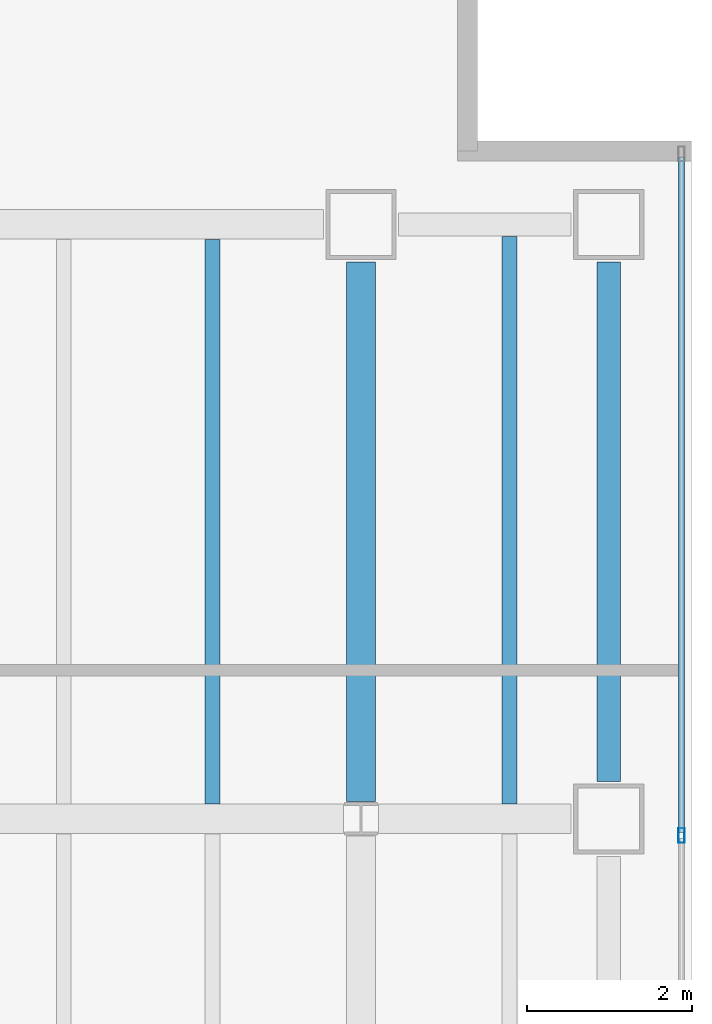
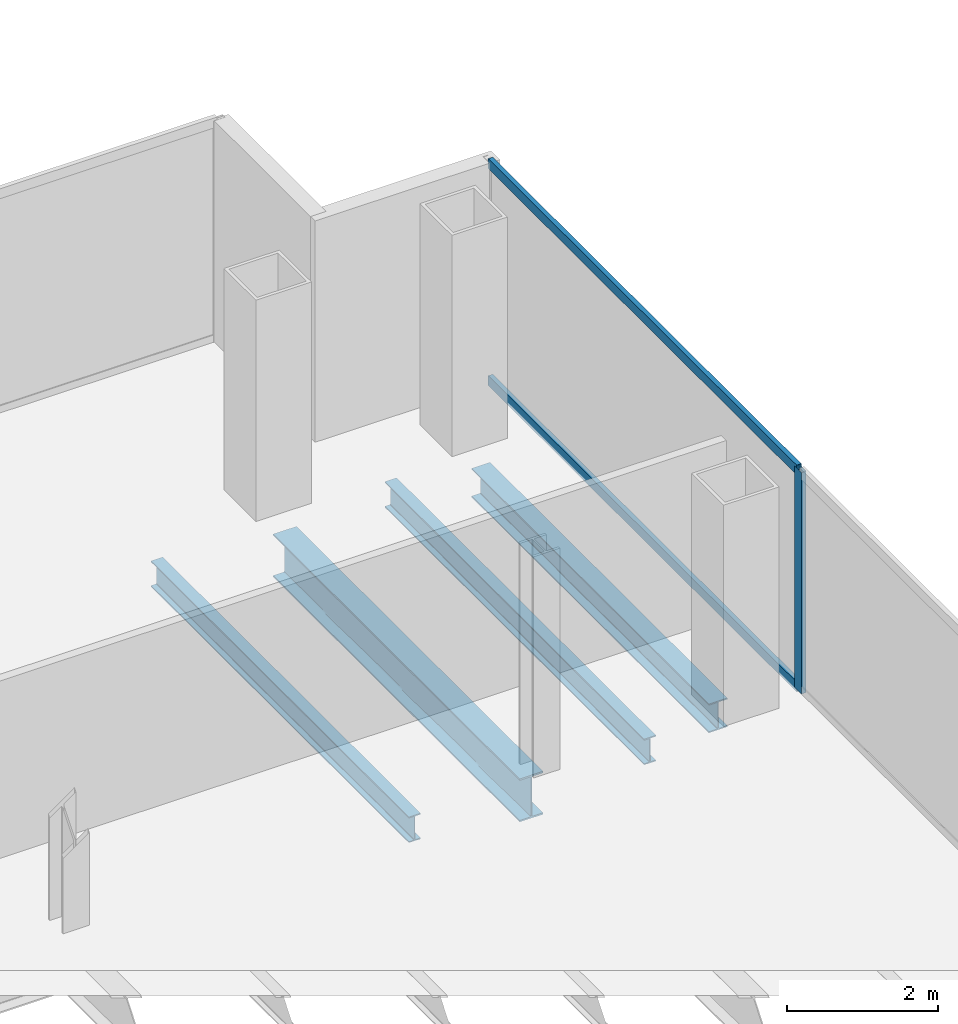
# One storey, part 13 of 23: 4 beams, 3 members, 1 element without a shape of its own.
"""IFC4 building model written with IfcOpenShell, lengths in metres."""

from ifc_helpers import new_model, si_unit, direction, frame, origin, origin_2d, place, context, subcontext, project, spatial, hollow_rectangle, i_section, extrude, material, material_profile, profile_set, type_object, element, aggregate, save


model = new_model("IFC4")

# Units and contexts
model_context = context("Model", 3, precision=1e-05, world=origin(), true_north=direction((0.0, 1.0)))
body_context = subcontext(model_context, "Body", "Model", "MODEL_VIEW")
ifc_project = project(units=[si_unit("LENGTHUNIT", "METRE"), si_unit("AREAUNIT", "SQUARE_METRE"), si_unit("VOLUMEUNIT", "CUBIC_METRE"), si_unit("PLANEANGLEUNIT", "RADIAN"), si_unit("MASSUNIT", "GRAM", prefix="KILO")], contexts=[model_context])

# Site, building, storey
site_placement = place(None, origin())
site = spatial("IfcSite", under=ifc_project, at=site_placement, CompositionType="ELEMENT")
building_placement = place(site_placement, origin())
building = spatial("IfcBuilding", under=site, at=building_placement, Name="Cobrela Telecom Tower", CompositionType="ELEMENT")
storey_placement = place(building_placement, frame((0.0, 0.0, 148.39990234375)))
storey = spatial("IfcBuildingStorey", under=building, at=storey_placement, Name="L37", CompositionType="ELEMENT", Elevation=148.39990234375)

# Beams
ifc_material_1 = material(Name="Steel ASTM A992 Grade 50", Category="steel")
ifc_material_profile_1 = material_profile(ifc_material_1, i_section(OverallWidth=0.35595703125, OverallDepth=0.696044921875, WebThickness=0.015380859375, FlangeThickness=0.024658203125, FilletRadius=0.01806640625, at=origin_2d()), Name="W27X146")
ifc_profile_set_1 = profile_set([ifc_material_profile_1], Name="Steel ASTM A992 Grade 50")
beam_type_1 = type_object("IfcBeamType", Name="BM-GIRD-05", PredefinedType="USERDEFINED", material=ifc_profile_set_1)
beam_1_placement = place(storey_placement, frame((43.199951171875, 14.609619140625, -0.617919921875), z_axis=(0.0, 1.0, 0.0), x_axis=(-1.0, 0.0, 0.0)))
element("IfcBeam", 1, at=beam_1_placement, inside=storey, type_object=beam_type_1, Name="L37 Primary Girder Y54", ObjectType="GIRDER", PredefinedType="USERDEFINED", context=body_context, shape_type="SweptSolid", body=[
    extrude(i_section(OverallWidth=0.35595703125, OverallDepth=0.696044921875, WebThickness=0.015380859375, FlangeThickness=0.024658203125, FilletRadius=0.01806640625, at=origin_2d()), origin(), (0.0, 0.0, 1.0), 6.535400390625),
])
ifc_material_profile_2 = material_profile(ifc_material_1, i_section(OverallWidth=0.179931640625, OverallDepth=0.4169921875, WebThickness=0.010986328125, FlangeThickness=0.01806640625, FilletRadius=0.011962890625, at=origin_2d()), Name="W16X57")
ifc_profile_set_2 = profile_set([ifc_material_profile_2], Name="Steel ASTM A992 Grade 50")
beam_type_2 = type_object("IfcBeamType", Name="BM-JOIST-04", PredefinedType="JOIST", material=ifc_profile_set_2)
beam_2_placement = place(storey_placement, frame((41.39990234375, 14.5830078125, -0.478515625), z_axis=(0.0, 1.0, 0.0), x_axis=(-1.0, 0.0, 0.0)))
element("IfcBeam", 2, at=beam_2_placement, inside=storey, type_object=beam_type_2, Name="L37 Secondary Composite Floor Beam J38", PredefinedType="JOIST", context=body_context, shape_type="SweptSolid", body=[
    extrude(i_section(OverallWidth=0.179931640625, OverallDepth=0.4169921875, WebThickness=0.010986328125, FlangeThickness=0.01806640625, FilletRadius=0.011962890625, at=origin_2d()), origin(), (0.0, 0.0, 1.0), 6.833984375),
])
beam_3_placement = place(storey_placement, frame((45.0, 14.5830078125, -0.478515625), z_axis=(0.0, 1.0, 0.0), x_axis=(-1.0, 0.0, 0.0)))
element("IfcBeam", 3, at=beam_3_placement, inside=storey, type_object=beam_type_2, Name="L37 Secondary Composite Floor Beam J40", PredefinedType="JOIST", context=body_context, shape_type="SweptSolid", body=[
    extrude(i_section(OverallWidth=0.179931640625, OverallDepth=0.4169921875, WebThickness=0.010986328125, FlangeThickness=0.01806640625, FilletRadius=0.011962890625, at=origin_2d()), origin(), (0.0, 0.0, 1.0), 6.87109375),
])
ifc_material_profile_3 = material_profile(ifc_material_1, i_section(OverallWidth=0.281982421875, OverallDepth=0.467041015625, WebThickness=0.01220703125, FlangeThickness=0.01953125, FilletRadius=0.012939453125, at=origin_2d()), Name="W18X86")
ifc_profile_set_3 = profile_set([ifc_material_profile_3], Name="Steel ASTM A992 Grade 50")
beam_type_3 = type_object("IfcBeamType", Name="BM-SPAND-04", PredefinedType="SPANDREL", material=ifc_profile_set_3)
beam_4_placement = place(storey_placement, frame((46.199951171875, 14.85498046875, -0.50341796875), z_axis=(0.0, 1.0, 0.0), x_axis=(-1.0, 0.0, 0.0)))
element("IfcBeam", 4, at=beam_4_placement, inside=storey, type_object=beam_type_3, Name="L37 Perimeter Spandrel Y56", PredefinedType="SPANDREL", context=body_context, shape_type="SweptSolid", body=[
    extrude(i_section(OverallWidth=0.281982421875, OverallDepth=0.467041015625, WebThickness=0.01220703125, FlangeThickness=0.01953125, FilletRadius=0.012939453125, at=origin_2d()), origin(), (0.0, 0.0, 1.0), 6.2900390625),
])

# Curtain wall, members
ifc_material_2 = material(Name="Anodized Bronze Aluminium 6063-T6", Category="aluminium")
curtain_wall_type = type_object("IfcCurtainWallType", Name="CW-SYS-TEL", PredefinedType="USERDEFINED", material=ifc_material_2)
curtain_wall_placement = place(storey_placement, origin())
curtain_wall = element("IfcCurtainWall", 5, at=curtain_wall_placement, inside=storey, type_object=curtain_wall_type, Name="L37 Unitised Bronze Curtain Wall 14", ObjectType="UNITISED CURTAIN WALL", PredefinedType="USERDEFINED")
ifc_material_profile_4 = material_profile(ifc_material_2, hollow_rectangle(XDim=0.074951171875, YDim=0.179931640625, WallThickness=0.00390625, at=origin_2d()), Name="ALU 75x180x4")
ifc_profile_set_4 = profile_set([ifc_material_profile_4], Name="Anodized Bronze Aluminium 6063-T6")
member_type_1 = type_object("IfcMemberType", Name="CW-SYS-TEL-MUL", PredefinedType="MULLION", material=ifc_profile_set_4)
member_1_placement = place(storey_placement, frame((47.080078125, 14.199951171875, 0.0), z_axis=(0.0, 0.0, 1.0), x_axis=(1.0, 0.0, 0.0)))
member_1 = element("IfcMember", 6, at=member_1_placement, type_object=member_type_1, Name="CW-TEL mullion 2", PredefinedType="MULLION", context=body_context, shape_type="SweptSolid", body=[
    extrude(hollow_rectangle(XDim=0.074951171875, YDim=0.179931640625, WallThickness=0.00390625, at=origin_2d()), origin(), (0.0, 0.0, 1.0), 3.580078125),
])
ifc_material_profile_5 = material_profile(ifc_material_2, hollow_rectangle(XDim=0.070068359375, YDim=0.159912109375, WallThickness=0.00390625, at=origin_2d()), Name="ALU 70x160x4")
ifc_profile_set_5 = profile_set([ifc_material_profile_5], Name="Anodized Bronze Aluminium 6063-T6")
member_type_2 = type_object("IfcMemberType", Name="CW-SYS-TEL-TRN", PredefinedType="USERDEFINED", material=ifc_profile_set_5)
member_2_placement = place(storey_placement, frame((47.080078125, 22.4150390625, 0.03515625), z_axis=(0.0, -1.0, 0.0), x_axis=(1.0, 0.0, 0.0)))
member_2 = element("IfcMember", 7, at=member_2_placement, type_object=member_type_2, Name="CW-TEL transom 1.1", ObjectType="TRANSOM", PredefinedType="USERDEFINED", context=body_context, shape_type="SweptSolid", body=[
    extrude(hollow_rectangle(XDim=0.070068359375, YDim=0.159912109375, WallThickness=0.00390625, at=origin_2d()), origin(), (0.0, 0.0, 1.0), 8.177490234375),
])
member_3_placement = place(storey_placement, frame((47.080078125, 22.4150390625, 3.545166015625), z_axis=(0.0, -1.0, 0.0), x_axis=(1.0, 0.0, 0.0)))
member_3 = element("IfcMember", 8, at=member_3_placement, type_object=member_type_2, Name="CW-TEL transom 1.2", ObjectType="TRANSOM", PredefinedType="USERDEFINED", context=body_context, shape_type="SweptSolid", body=[
    extrude(hollow_rectangle(XDim=0.070068359375, YDim=0.159912109375, WallThickness=0.00390625, at=origin_2d()), origin(), (0.0, 0.0, 1.0), 8.177490234375),
])
aggregate(curtain_wall, [member_1, member_2, member_3])

save(model, "model.ifc")
